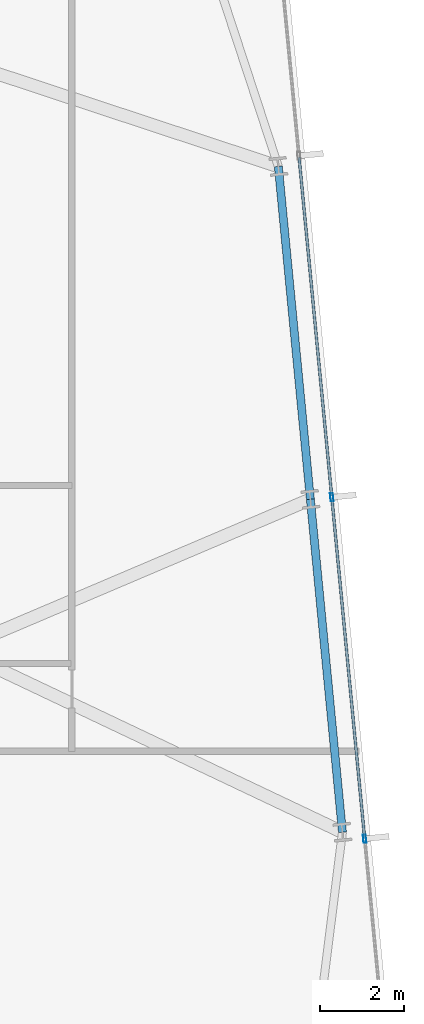
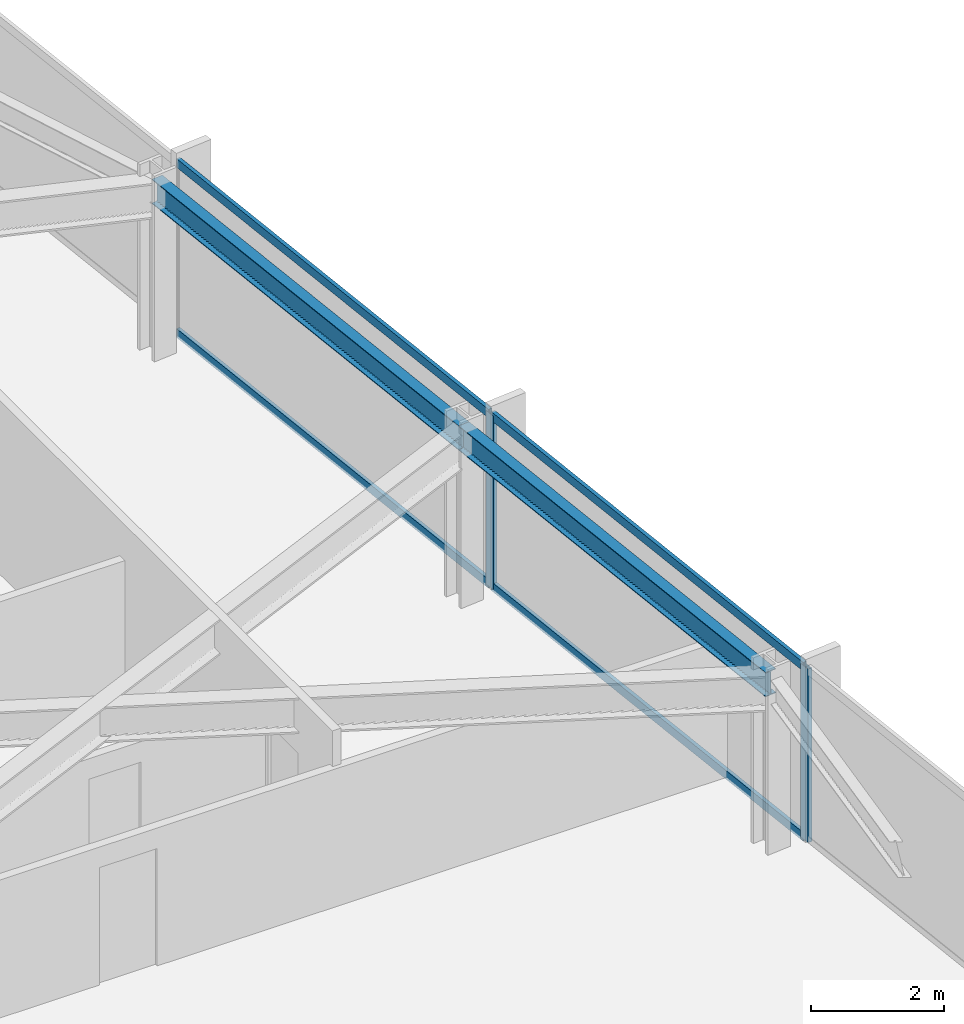
# One storey, part 16 of 33: 6 members, 2 beams, 1 element without a shape of its own.
"""IFC4 building model written with IfcOpenShell, lengths in metres."""

from ifc_helpers import new_model, si_unit, direction, frame, origin, origin_2d, place, context, subcontext, project, spatial, hollow_rectangle, i_section, extrude, material, material_profile, profile_set, type_object, element, aggregate, save


model = new_model("IFC4")

# Units and contexts
model_context = context("Model", 3, precision=1e-05, world=origin(), true_north=direction((0.0, 1.0)))
body_context = subcontext(model_context, "Body", "Model", "MODEL_VIEW")
ifc_project = project(units=[si_unit("LENGTHUNIT", "METRE"), si_unit("AREAUNIT", "SQUARE_METRE"), si_unit("VOLUMEUNIT", "CUBIC_METRE"), si_unit("PLANEANGLEUNIT", "RADIAN"), si_unit("MASSUNIT", "GRAM", prefix="KILO")], contexts=[model_context])

# Site, building, storey
site_placement = place(None, origin())
site = spatial("IfcSite", under=ifc_project, at=site_placement, CompositionType="ELEMENT")
building_placement = place(site_placement, origin())
building = spatial("IfcBuilding", under=site, at=building_placement, Name="Yelkora Congress Tower", CompositionType="ELEMENT")
storey_placement = place(building_placement, frame((0.0, 0.0, 106.699951171875)))
storey = spatial("IfcBuildingStorey", under=building, at=storey_placement, Name="L28", CompositionType="ELEMENT", Elevation=106.699951171875)

# Beams
ifc_material_1 = material(Name="Steel S355J2", Category="steel")
ifc_material_profile_1 = material_profile(ifc_material_1, i_section(OverallWidth=0.18994140625, OverallDepth=0.449951171875, WebThickness=0.009521484375, FlangeThickness=0.0146484375, FilletRadius=0.02099609375, at=origin_2d()), Name="IPE 450")
ifc_profile_set_1 = profile_set([ifc_material_profile_1], Name="Steel S355J2")
beam_type = type_object("IfcBeamType", Name="BM-SPAN-IPE450", PredefinedType="SPANDREL", material=ifc_profile_set_1)
beam_1_placement = place(storey_placement, frame((76.041259765625, 24.83349609375, 2.955078125), z_axis=(-0.095839787071, 0.995396772757, 0.0), x_axis=(-0.995396772757, -0.095839787071, 0.0)))
element("IfcBeam", 1, at=beam_1_placement, inside=storey, type_object=beam_type, Name="L28 Perimeter Beam 11", PredefinedType="SPANDREL", context=body_context, shape_type="SweptSolid", body=[
    extrude(i_section(OverallWidth=0.18994140625, OverallDepth=0.449951171875, WebThickness=0.009521484375, FlangeThickness=0.0146484375, FilletRadius=0.02099609375, at=origin_2d()), origin(), (0.0, 0.0, 1.0), 7.9248046875),
])
beam_2_placement = place(storey_placement, frame((75.28173828125, 32.721923828125, 2.955078125), z_axis=(-0.09583684824, 0.995397055712, 0.0), x_axis=(-0.995397055712, -0.09583684824, 0.0)))
element("IfcBeam", 2, at=beam_2_placement, inside=storey, type_object=beam_type, Name="L28 Perimeter Beam 12", PredefinedType="SPANDREL", context=body_context, shape_type="SweptSolid", body=[
    extrude(i_section(OverallWidth=0.18994140625, OverallDepth=0.449951171875, WebThickness=0.009521484375, FlangeThickness=0.0146484375, FilletRadius=0.02099609375, at=origin_2d()), origin(), (0.0, 0.0, 1.0), 7.925048828125),
])

# Curtain wall, members
ifc_material_2 = material(Name="Anodised aluminium and insulated glass", Category="aluminium")
curtain_wall_type = type_object("IfcCurtainWallType", Name="CW-SYS-B2", PredefinedType="NOTDEFINED", material=ifc_material_2)
curtain_wall_placement = place(storey_placement, origin())
curtain_wall = element("IfcCurtainWall", 3, at=curtain_wall_placement, inside=storey, type_object=curtain_wall_type, Name="L28 Unitised Curtain Wall 15", PredefinedType="NOTDEFINED")
ifc_material_3 = material(Name="Anodised aluminium 6063-T6", Category="aluminium")
ifc_material_profile_2 = material_profile(ifc_material_3, hollow_rectangle(XDim=0.070068359375, YDim=0.18994140625, WallThickness=0.00390625, at=origin_2d()), Name="ALU 70x190x4")
ifc_profile_set_2 = profile_set([ifc_material_profile_2], Name="Anodised aluminium 6063-T6")
member_type_1 = type_object("IfcMemberType", Name="MEM-ML-B2", PredefinedType="MULLION", material=ifc_profile_set_2)
member_1_placement = place(storey_placement, frame((75.789306640625, 32.770751953125, 0.0), z_axis=(0.0, 0.0, 1.0), x_axis=(0.995396507508, 0.095842541913, 0.0)))
member_1 = element("IfcMember", 4, at=member_1_placement, type_object=member_type_1, Name="CW-B2 mullion 3", PredefinedType="MULLION", context=body_context, shape_type="SweptSolid", body=[
    extrude(hollow_rectangle(XDim=0.070068359375, YDim=0.18994140625, WallThickness=0.00390625, at=origin_2d()), origin(), (0.0, 0.0, 1.0), 3.179931640625),
])
member_2_placement = place(storey_placement, frame((76.568603515625, 24.67822265625, 0.0), z_axis=(0.0, 0.0, 1.0), x_axis=(0.995396507508, 0.095842541913, 0.0)))
member_2 = element("IfcMember", 5, at=member_2_placement, type_object=member_type_1, Name="CW-B2 mullion 4", PredefinedType="MULLION", context=body_context, shape_type="SweptSolid", body=[
    extrude(hollow_rectangle(XDim=0.070068359375, YDim=0.18994140625, WallThickness=0.00390625, at=origin_2d()), origin(), (0.0, 0.0, 1.0), 3.179931640625),
])
ifc_material_profile_3 = material_profile(ifc_material_3, hollow_rectangle(XDim=0.06494140625, YDim=0.159912109375, WallThickness=0.00390625, at=origin_2d()), Name="ALU 65x160x4")
ifc_profile_set_3 = profile_set([ifc_material_profile_3], Name="Anodised aluminium 6063-T6")
member_type_2 = type_object("IfcMemberType", Name="MEM-TR-B2", PredefinedType="USERDEFINED", material=ifc_profile_set_3)
member_3_placement = place(storey_placement, frame((75.013427734375, 40.82861328125, 0.032470703125), z_axis=(0.095838228465, -0.995396922823, 0.0), x_axis=(0.995396922823, 0.095838228465, 0.0)))
member_3 = element("IfcMember", 6, at=member_3_placement, type_object=member_type_2, Name="CW-B2 transom 2.1", ObjectType="TRANSOM", PredefinedType="USERDEFINED", context=body_context, shape_type="SweptSolid", body=[
    extrude(hollow_rectangle(XDim=0.06494140625, YDim=0.159912109375, WallThickness=0.00390625, at=origin_2d()), origin(), (0.0, 0.0, 1.0), 8.06005859375),
])
member_4_placement = place(storey_placement, frame((75.013427734375, 40.82861328125, 3.1474609375), z_axis=(0.095838228465, -0.995396922823, 0.0), x_axis=(0.995396922823, 0.095838228465, 0.0)))
member_4 = element("IfcMember", 7, at=member_4_placement, type_object=member_type_2, Name="CW-B2 transom 2.2", ObjectType="TRANSOM", PredefinedType="USERDEFINED", context=body_context, shape_type="SweptSolid", body=[
    extrude(hollow_rectangle(XDim=0.06494140625, YDim=0.159912109375, WallThickness=0.00390625, at=origin_2d()), origin(), (0.0, 0.0, 1.0), 8.06005859375),
])
member_5_placement = place(storey_placement, frame((75.792724609375, 32.736083984375, 0.032470703125), z_axis=(0.095838228465, -0.995396922823, 0.0), x_axis=(0.995396922823, 0.095838228465, 0.0)))
member_5 = element("IfcMember", 8, at=member_5_placement, type_object=member_type_2, Name="CW-B2 transom 3.1", ObjectType="TRANSOM", PredefinedType="USERDEFINED", context=body_context, shape_type="SweptSolid", body=[
    extrude(hollow_rectangle(XDim=0.06494140625, YDim=0.159912109375, WallThickness=0.00390625, at=origin_2d()), origin(), (0.0, 0.0, 1.0), 8.06005859375),
])
member_6_placement = place(storey_placement, frame((75.792724609375, 32.736083984375, 3.1474609375), z_axis=(0.095838228465, -0.995396922823, 0.0), x_axis=(0.995396922823, 0.095838228465, 0.0)))
member_6 = element("IfcMember", 9, at=member_6_placement, type_object=member_type_2, Name="CW-B2 transom 3.2", ObjectType="TRANSOM", PredefinedType="USERDEFINED", context=body_context, shape_type="SweptSolid", body=[
    extrude(hollow_rectangle(XDim=0.06494140625, YDim=0.159912109375, WallThickness=0.00390625, at=origin_2d()), origin(), (0.0, 0.0, 1.0), 8.06005859375),
])
aggregate(curtain_wall, [member_1, member_2, member_3, member_4, member_5, member_6])

save(model, "model.ifc")
